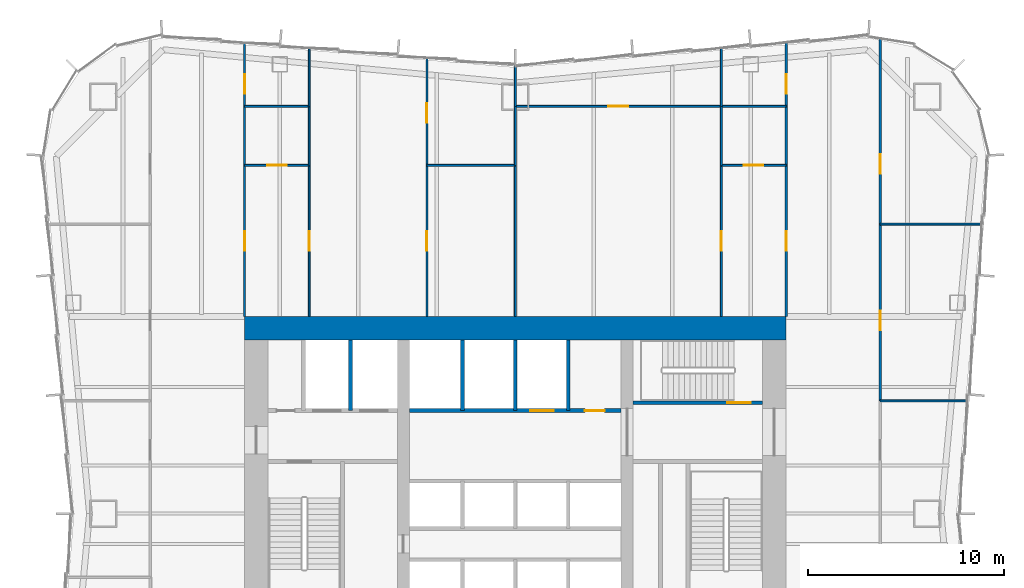
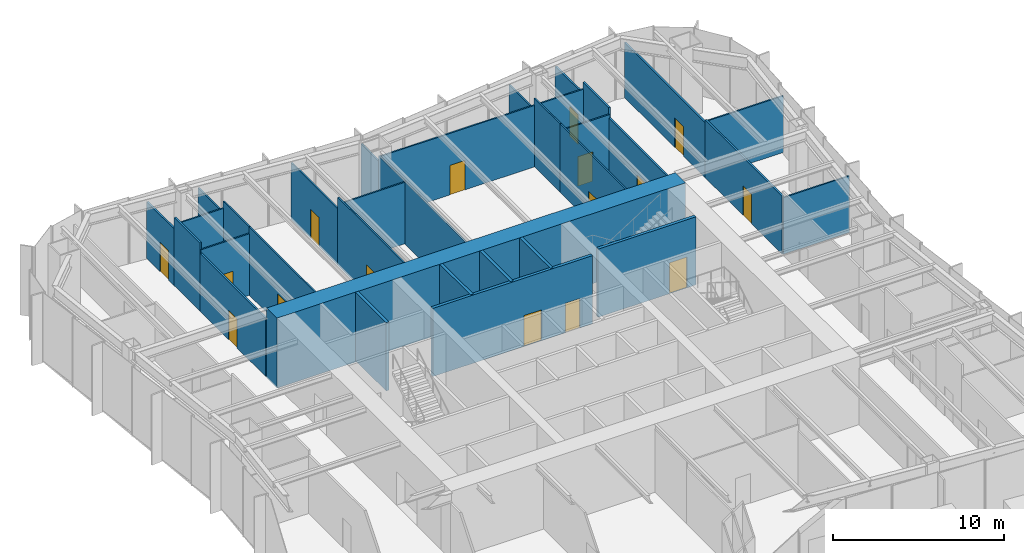
# One storey, part 11 of 15: 34 walls, 16 doors, 16 openings.
"""IFC4 building model written with IfcOpenShell, lengths in metres."""

from ifc_helpers import new_model, si_unit, direction, frame, frame_2d, origin, place, context, subcontext, project, spatial, rectangle, extrude, material, layer, layer_set, type_object, element, fill, save


model = new_model("IFC4")

# Units and contexts
model_context = context("Model", 3, precision=1e-05, world=origin(), true_north=direction((0.0, 1.0)))
body_context = subcontext(model_context, "Body", "Model", "MODEL_VIEW")
ifc_project = project(units=[si_unit("LENGTHUNIT", "METRE"), si_unit("AREAUNIT", "SQUARE_METRE"), si_unit("VOLUMEUNIT", "CUBIC_METRE"), si_unit("PLANEANGLEUNIT", "RADIAN"), si_unit("MASSUNIT", "GRAM", prefix="KILO")], contexts=[model_context])

# Site, building, storey
site_placement = place(None, origin())
site = spatial("IfcSite", under=ifc_project, at=site_placement, CompositionType="ELEMENT")
building_placement = place(site_placement, origin())
building = spatial("IfcBuilding", under=site, at=building_placement, Name="Verdant Reach Tower", CompositionType="ELEMENT")
storey_placement = place(building_placement, frame((0.0, 0.0, 65.0)))
storey = spatial("IfcBuildingStorey", under=building, at=storey_placement, Name="L14", CompositionType="ELEMENT", Elevation=65.0)

# Wall, openings, doors
ifc_material_1 = material(Name="Concrete C40/50", Category="concrete")
ifc_layer_1 = layer(ifc_material_1, 0.199951171875)
ifc_layer_set_1 = layer_set([ifc_layer_1], Name="CO-WALL-SHAFT")
wall_type_1 = type_object("IfcWallType", Name="CO-WALL-SHAFT", PredefinedType="PARTITIONING", material=ifc_layer_set_1)
wall_1_placement = place(storey_placement, frame((-5.39990234375, 34.0, 0.0), z_axis=(0.0, 0.0, 1.0), x_axis=(1.0, 0.0, 0.0)))
wall_1 = element("IfcWall", 1, at=wall_1_placement, inside=storey, type_object=wall_type_1, Name="Lift shaft wall, L14", PredefinedType="PARTITIONING", context=body_context, shape_type="SweptSolid", body=[
    extrude(rectangle(XDim=10.7998046875, YDim=0.199951171875, at=frame_2d((5.39990234375, 0.0))), origin(), (0.0, 0.0, 1.0), 4.8701171875),
])
opening_1_placement = place(wall_1_placement, frame((6.14990234375, 0.0, 0.0)))
opening_1 = element("IfcOpeningElement", 2, at=opening_1_placement, cuts=wall_1, Name="Opening LD-SL1", PredefinedType="OPENING", context=body_context, shape_type="SweptSolid", body=[
    extrude(rectangle(XDim=1.199951171875, YDim=2.199951171875, at=frame_2d((0.60009765625, 1.10009765625))), frame((0.0, 0.10986328125, 0.0), z_axis=(0.0, -1.0, 0.0), x_axis=(1.0, 0.0, 0.0)), (0.0, 0.0, 1.0), 0.219970703125),
])
opening_2_placement = place(wall_1_placement, frame((8.949951171875, 0.0, 0.0)))
opening_2 = element("IfcOpeningElement", 3, at=opening_2_placement, cuts=wall_1, Name="Opening CD", PredefinedType="OPENING", context=body_context, shape_type="SweptSolid", body=[
    extrude(rectangle(XDim=1.0, YDim=2.10009765625, at=frame_2d((0.5, 1.050048828125))), frame((0.0, 0.10986328125, 0.0), z_axis=(0.0, -1.0, 0.0), x_axis=(1.0, 0.0, 0.0)), (0.0, 0.0, 1.0), 0.219970703125),
])
ifc_material_2 = material(Name="Stainless steel", Category="steel")
door_type_1 = type_object("IfcDoorType", Name="CO-DOOR-LANDING", OperationType="SLIDING_TO_LEFT", PredefinedType="DOOR", material=ifc_material_2)
door_1_placement = place(opening_1_placement, origin())
door_1 = element("IfcDoor", 4, at=door_1_placement, inside=storey, type_object=door_type_1, Name="Landing door SL1, L14", OperationType="SLIDING_TO_LEFT", OverallHeight=2.199951171875, OverallWidth=1.199951171875, PredefinedType="DOOR", context=body_context, shape_type="SweptSolid", body=[
    extrude(rectangle(XDim=1.199951171875, YDim=2.199951171875, at=frame_2d((0.60009765625, 1.10009765625))), frame((0.0, 0.02490234375, 0.0), z_axis=(0.0, -1.0, 0.0), x_axis=(1.0, 0.0, 0.0)), (0.0, 0.0, 1.0), 0.050048828125),
])
fill(opening_1, door_1)
ifc_material_3 = material(Name="Timber", Category="wood")
door_type_2 = type_object("IfcDoorType", Name="CO-DOOR-ROOM", OperationType="NOTDEFINED", PredefinedType="DOOR", material=ifc_material_3)
door_2_placement = place(opening_2_placement, origin())
door_2 = element("IfcDoor", 5, at=door_2_placement, inside=storey, type_object=door_type_2, Name="Core room door, L14", OperationType="SINGLE_SWING_LEFT", OverallHeight=2.10009765625, OverallWidth=1.0, PredefinedType="DOOR", context=body_context, shape_type="SweptSolid", body=[
    extrude(rectangle(XDim=1.0, YDim=2.10009765625, at=frame_2d((0.5, 1.050048828125))), frame((0.0, 0.02490234375, 0.0), z_axis=(0.0, -1.0, 0.0), x_axis=(1.0, 0.0, 0.0)), (0.0, 0.0, 1.0), 0.050048828125),
])
fill(opening_2, door_2)

# Walls
for number, where, z_axis, x_axis, name in (
    (6, (-8.39990234375, 34.0, 0.0), (0.0, 0.0, 1.0), (0.0, 1.0, 0.0), "Lift shaft wall, L14"),
    (7, (-2.699951171875, 34.0, 0.0), (0.0, 0.0, 1.0), (0.0, 1.0, 0.0), "Lift shaft wall, L14"),
    (8, (0.0, 34.0, 0.0), (0.0, 0.0, 1.0), (0.0, 1.0, 0.0), "Lift shaft wall, L14"),
    (9, (2.699951171875, 34.0, 0.0), (0.0, 0.0, 1.0), (0.0, 1.0, 0.0), "Lift shaft wall, L14"),
):
    element("IfcWall", number, at=place(storey_placement, frame(where, z_axis=z_axis, x_axis=x_axis)), inside=storey, type_object=wall_type_1, Name=name, PredefinedType="PARTITIONING", context=body_context, shape_type="SweptSolid", body=[
        extrude(rectangle(XDim=3.60009765625, YDim=0.199951171875, at=frame_2d((1.800048828125, 0.0))), origin(), (0.0, 0.0, 1.0), 4.8701171875),
    ])

# Wall, opening, door
ifc_layer_2 = layer(ifc_material_1, 0.199951171875)
ifc_layer_set_2 = layer_set([ifc_layer_2], Name="CO-WALL-STAIR")
wall_type_2 = type_object("IfcWallType", Name="CO-WALL-STAIR", PredefinedType="PARTITIONING", material=ifc_layer_set_2)
wall_2_placement = place(storey_placement, frame((6.0, 34.39990234375, 0.0), z_axis=(0.0, 0.0, 1.0), x_axis=(1.0, 0.0, 0.0)))
wall_2 = element("IfcWall", 10, at=wall_2_placement, inside=storey, type_object=wall_type_2, Name="Stair enclosure wall, L14", PredefinedType="PARTITIONING", context=body_context, shape_type="SweptSolid", body=[
    extrude(rectangle(XDim=6.60009765625, YDim=0.199951171875, at=frame_2d((3.300048828125, 0.0))), origin(), (0.0, 0.0, 1.0), 4.8701171875),
])
opening_3_placement = place(wall_2_placement, frame((4.800048828125, 0.0, 0.0)))
opening_3 = element("IfcOpeningElement", 11, at=opening_3_placement, cuts=wall_2, Name="Opening SD", PredefinedType="OPENING", context=body_context, shape_type="SweptSolid", body=[
    extrude(rectangle(XDim=1.199951171875, YDim=2.199951171875, at=frame_2d((0.60009765625, 1.10009765625))), frame((0.0, 0.10986328125, 0.0), z_axis=(0.0, -1.0, 0.0), x_axis=(1.0, 0.0, 0.0)), (0.0, 0.0, 1.0), 0.219970703125),
])
ifc_material_4 = material(Name="Steel", Category="steel")
door_type_3 = type_object("IfcDoorType", Name="CO-DOOR-STAIR", OperationType="NOTDEFINED", PredefinedType="DOOR", material=ifc_material_4)
door_3_placement = place(opening_3_placement, origin())
door_3 = element("IfcDoor", 12, at=door_3_placement, inside=storey, type_object=door_type_3, Name="Stair door, L14", OperationType="SINGLE_SWING_LEFT", OverallHeight=2.199951171875, OverallWidth=1.199951171875, PredefinedType="DOOR", context=body_context, shape_type="SweptSolid", body=[
    extrude(rectangle(XDim=1.199951171875, YDim=2.199951171875, at=frame_2d((0.60009765625, 1.10009765625))), frame((0.0, 0.02490234375, 0.0), z_axis=(0.0, -1.0, 0.0), x_axis=(1.0, 0.0, 0.0)), (0.0, 0.0, 1.0), 0.050048828125),
])
fill(opening_3, door_3)

# Walls
ifc_material_5 = material(Name="Gypsum board on steel studs", Category="steel")
ifc_layer_3 = layer(ifc_material_5, 0.10009765625)
ifc_layer_set_3 = layer_set([ifc_layer_3], Name="FL-W1 Partition 100")
wall_type_3 = type_object("IfcWallType", Name="FL-W1 Partition 100", PredefinedType="PARTITIONING", material=ifc_layer_set_3)
wall_3_placement = place(storey_placement, frame((23.052490234375, 34.5, 0.0), z_axis=(0.0, 0.0, 1.0), x_axis=(-1.0, 0.0, 0.0)))
element("IfcWall", 13, at=wall_3_placement, inside=storey, type_object=wall_type_3, Name="Partition 14.33", PredefinedType="PARTITIONING", context=body_context, shape_type="SweptSolid", body=[
    extrude(rectangle(XDim=4.452392578125, YDim=0.10009765625, at=frame_2d((2.22607421875, 0.0))), origin(), (0.0, 0.0, 1.0), 4.0400390625),
])
wall_4_placement = place(storey_placement, frame((23.792236328125, 43.5, 0.0), z_axis=(0.0, 0.0, 1.0), x_axis=(-1.0, 0.0, 0.0)))
element("IfcWall", 14, at=wall_4_placement, inside=storey, type_object=wall_type_3, Name="Partition 14.34", PredefinedType="PARTITIONING", context=body_context, shape_type="SweptSolid", body=[
    extrude(rectangle(XDim=5.192138671875, YDim=0.10009765625, at=frame_2d((2.59619140625, 0.0))), origin(), (0.0, 0.0, 1.0), 4.0400390625),
])

# Wall, opening, door
wall_5_placement = place(storey_placement, frame((-13.800048828125, 46.5, 0.0), z_axis=(0.0, 0.0, 1.0), x_axis=(1.0, 0.0, 0.0)))
wall_5 = element("IfcWall", 15, at=wall_5_placement, inside=storey, type_object=wall_type_3, Name="Partition 14.41", PredefinedType="PARTITIONING", context=body_context, shape_type="SweptSolid", body=[
    extrude(rectangle(XDim=3.300048828125, YDim=0.10009765625, at=frame_2d((1.64990234375, 0.0))), origin(), (0.0, 0.0, 1.0), 4.389892578125),
])
opening_4_placement = place(wall_5_placement, frame((1.14990234375, 0.0, 0.0)))
opening_4 = element("IfcOpeningElement", 16, at=opening_4_placement, cuts=wall_5, Name="Opening D3", PredefinedType="OPENING", context=body_context, shape_type="SweptSolid", body=[
    extrude(rectangle(XDim=1.0, YDim=2.10009765625, at=frame_2d((0.5, 1.050048828125))), frame((0.0, 0.06005859375, 0.0), z_axis=(0.0, -1.0, 0.0), x_axis=(1.0, 0.0, 0.0)), (0.0, 0.0, 1.0), 0.1201171875),
])
ifc_material_6 = material(Name="Painted timber door leaf", Category="wood")
door_type_4 = type_object("IfcDoorType", Name="FL-D3 Door 1000x2100", OperationType="NOTDEFINED", PredefinedType="DOOR", material=ifc_material_6)
door_4_placement = place(opening_4_placement, origin())
door_4 = element("IfcDoor", 17, at=door_4_placement, inside=storey, type_object=door_type_4, Name="Door 14-024", OperationType="SINGLE_SWING_RIGHT", OverallHeight=2.10009765625, OverallWidth=1.0, PredefinedType="DOOR", context=body_context, shape_type="SweptSolid", body=[
    extrude(rectangle(XDim=1.0, YDim=2.10009765625, at=frame_2d((0.5, 1.050048828125))), frame((0.0, 0.02490234375, 0.0), z_axis=(0.0, -1.0, 0.0), x_axis=(1.0, 0.0, 0.0)), (0.0, 0.0, 1.0), 0.050048828125),
])
fill(opening_4, door_4)

wall_6_placement = place(storey_placement, frame((-10.5, 46.50390625, 0.0), z_axis=(0.0, 0.0, 1.0), x_axis=(0.0, -1.0, 0.0)))
wall_6 = element("IfcWall", 18, at=wall_6_placement, inside=storey, type_object=wall_type_3, Name="Partition 14.42", PredefinedType="PARTITIONING", context=body_context, shape_type="SweptSolid", body=[
    extrude(rectangle(XDim=7.703857421875, YDim=0.10009765625, at=frame_2d((3.85205078125, 0.0))), origin(), (0.0, 0.0, 1.0), 4.8701171875),
])
opening_5_placement = place(wall_6_placement, frame((3.35205078125, 0.0, 0.0)))
opening_5 = element("IfcOpeningElement", 19, at=opening_5_placement, cuts=wall_6, Name="Opening D3", PredefinedType="OPENING", context=body_context, shape_type="SweptSolid", body=[
    extrude(rectangle(XDim=1.0, YDim=2.10009765625, at=frame_2d((0.5, 1.050048828125))), frame((0.0, 0.06005859375, 0.0), z_axis=(0.0, -1.0, 0.0), x_axis=(1.0, 0.0, 0.0)), (0.0, 0.0, 1.0), 0.1201171875),
])
door_5_placement = place(opening_5_placement, origin())
door_5 = element("IfcDoor", 20, at=door_5_placement, inside=storey, type_object=door_type_4, Name="Door 14-025", OperationType="SINGLE_SWING_LEFT", OverallHeight=2.10009765625, OverallWidth=1.0, PredefinedType="DOOR", context=body_context, shape_type="SweptSolid", body=[
    extrude(rectangle(XDim=1.0, YDim=2.10009765625, at=frame_2d((0.5, 1.050048828125))), frame((0.0, 0.02490234375, 0.0), z_axis=(0.0, -1.0, 0.0), x_axis=(1.0, 0.0, 0.0)), (0.0, 0.0, 1.0), 0.050048828125),
])
fill(opening_5, door_5)

# Walls
wall_7_placement = place(storey_placement, frame((-10.5, 49.5, 0.0), z_axis=(0.0, 0.0, 1.0), x_axis=(-1.0, 0.0, 0.0)))
element("IfcWall", 21, at=wall_7_placement, inside=storey, type_object=wall_type_3, Name="Partition 14.43", PredefinedType="PARTITIONING", context=body_context, shape_type="SweptSolid", body=[
    extrude(rectangle(XDim=3.300048828125, YDim=0.10009765625, at=frame_2d((1.64990234375, 0.0))), origin(), (0.0, 0.0, 1.0), 4.389892578125),
])
wall_8_placement = place(storey_placement, frame((-10.5, 46.49609375, 0.0), z_axis=(0.0, 0.0, 1.0), x_axis=(0.0, 1.0, 0.0)))
element("IfcWall", 22, at=wall_8_placement, inside=storey, type_object=wall_type_3, Name="Partition 14.44", PredefinedType="PARTITIONING", context=body_context, shape_type="SweptSolid", body=[
    extrude(rectangle(XDim=3.0078125, YDim=0.10009765625, at=frame_2d((1.50390625, 0.0))), origin(), (0.0, 0.0, 1.0), 4.8701171875),
])
wall_9_placement = place(storey_placement, frame((-10.5, 49.49609375, 0.0), z_axis=(0.0, 0.0, 1.0), x_axis=(0.0, 1.0, 0.0)))
element("IfcWall", 23, at=wall_9_placement, inside=storey, type_object=wall_type_3, Name="Partition 14.45", PredefinedType="PARTITIONING", context=body_context, shape_type="SweptSolid", body=[
    extrude(rectangle(XDim=2.958984375, YDim=0.10009765625, at=frame_2d((1.4794921875, 0.0))), origin(), (0.0, 0.0, 1.0), 4.0400390625),
])

# Wall, opening, door
wall_10_placement = place(storey_placement, frame((-4.5, 46.5, 0.0), z_axis=(0.0, 0.0, 1.0), x_axis=(0.0, -1.0, 0.0)))
wall_10 = element("IfcWall", 24, at=wall_10_placement, inside=storey, type_object=wall_type_3, Name="Partition 14.46", PredefinedType="PARTITIONING", context=body_context, shape_type="SweptSolid", body=[
    extrude(rectangle(XDim=7.699951171875, YDim=0.10009765625, at=frame_2d((3.85009765625, 0.0))), origin(), (0.0, 0.0, 1.0), 4.8701171875),
])
opening_6_placement = place(wall_10_placement, frame((3.35009765625, 0.0, 0.0)))
opening_6 = element("IfcOpeningElement", 25, at=opening_6_placement, cuts=wall_10, Name="Opening D3", PredefinedType="OPENING", context=body_context, shape_type="SweptSolid", body=[
    extrude(rectangle(XDim=1.0, YDim=2.10009765625, at=frame_2d((0.5, 1.050048828125))), frame((0.0, 0.06005859375, 0.0), z_axis=(0.0, -1.0, 0.0), x_axis=(1.0, 0.0, 0.0)), (0.0, 0.0, 1.0), 0.1201171875),
])
door_6_placement = place(opening_6_placement, origin())
door_6 = element("IfcDoor", 26, at=door_6_placement, inside=storey, type_object=door_type_4, Name="Door 14-026", OperationType="SINGLE_SWING_RIGHT", OverallHeight=2.10009765625, OverallWidth=1.0, PredefinedType="DOOR", context=body_context, shape_type="SweptSolid", body=[
    extrude(rectangle(XDim=1.0, YDim=2.10009765625, at=frame_2d((0.5, 1.050048828125))), frame((0.0, 0.02490234375, 0.0), z_axis=(0.0, -1.0, 0.0), x_axis=(1.0, 0.0, 0.0)), (0.0, 0.0, 1.0), 0.050048828125),
])
fill(opening_6, door_6)

wall_11_placement = place(storey_placement, frame((-4.5, 51.955078125, 0.0), z_axis=(0.0, 0.0, 1.0), x_axis=(0.0, -1.0, 0.0)))
wall_11 = element("IfcWall", 27, at=wall_11_placement, inside=storey, type_object=wall_type_3, Name="Partition 14.47", PredefinedType="PARTITIONING", context=body_context, shape_type="SweptSolid", body=[
    extrude(rectangle(XDim=5.455078125, YDim=0.10009765625, at=frame_2d((2.7275390625, 0.0))), origin(), (0.0, 0.0, 1.0), 4.0400390625),
])
opening_7_placement = place(wall_11_placement, frame((2.29248046875, 0.0, 0.0)))
opening_7 = element("IfcOpeningElement", 28, at=opening_7_placement, cuts=wall_11, Name="Opening D3", PredefinedType="OPENING", context=body_context, shape_type="SweptSolid", body=[
    extrude(rectangle(XDim=1.0, YDim=2.10009765625, at=frame_2d((0.5, 1.050048828125))), frame((0.0, 0.06005859375, 0.0), z_axis=(0.0, -1.0, 0.0), x_axis=(1.0, 0.0, 0.0)), (0.0, 0.0, 1.0), 0.1201171875),
])
door_7_placement = place(opening_7_placement, origin())
door_7 = element("IfcDoor", 29, at=door_7_placement, inside=storey, type_object=door_type_4, Name="Door 14-027", OperationType="SINGLE_SWING_RIGHT", OverallHeight=2.10009765625, OverallWidth=1.0, PredefinedType="DOOR", context=body_context, shape_type="SweptSolid", body=[
    extrude(rectangle(XDim=1.0, YDim=2.10009765625, at=frame_2d((0.5, 1.050048828125))), frame((0.0, 0.02490234375, 0.0), z_axis=(0.0, -1.0, 0.0), x_axis=(1.0, 0.0, 0.0)), (0.0, 0.0, 1.0), 0.050048828125),
])
fill(opening_7, door_7)

# Walls
wall_12_placement = place(storey_placement, frame((0.0, 46.5, 0.0), z_axis=(0.0, 0.0, 1.0), x_axis=(-1.0, 0.0, 0.0)))
element("IfcWall", 30, at=wall_12_placement, inside=storey, type_object=wall_type_3, Name="Partition 14.48", PredefinedType="PARTITIONING", context=body_context, shape_type="SweptSolid", body=[
    extrude(rectangle(XDim=4.5, YDim=0.10009765625, at=frame_2d((2.25, 0.0))), origin(), (0.0, 0.0, 1.0), 4.389892578125),
])
wall_13_placement = place(storey_placement, frame((0.0, 38.800048828125, 0.0), z_axis=(0.0, 0.0, 1.0), x_axis=(0.0, 1.0, 0.0)))
element("IfcWall", 31, at=wall_13_placement, inside=storey, type_object=wall_type_3, Name="Partition 14.49", PredefinedType="PARTITIONING", context=body_context, shape_type="SweptSolid", body=[
    extrude(rectangle(XDim=7.703857421875, YDim=0.10009765625, at=frame_2d((3.85205078125, 0.0))), origin(), (0.0, 0.0, 1.0), 4.43994140625),
])
wall_14_placement = place(storey_placement, frame((0.0, 46.49609375, 0.0), z_axis=(0.0, 0.0, 1.0), x_axis=(0.0, 1.0, 0.0)))
element("IfcWall", 32, at=wall_14_placement, inside=storey, type_object=wall_type_3, Name="Partition 14.50", PredefinedType="PARTITIONING", context=body_context, shape_type="SweptSolid", body=[
    extrude(rectangle(XDim=3.00390625, YDim=0.10009765625, at=frame_2d((1.501953125, 0.0))), origin(), (0.0, 0.0, 1.0), 4.43994140625),
])
wall_15_placement = place(storey_placement, frame((0.0, 49.5, 0.0), z_axis=(0.0, 0.0, 1.0), x_axis=(0.0, 1.0, 0.0)))
element("IfcWall", 33, at=wall_15_placement, inside=storey, type_object=wall_type_3, Name="Partition 14.51", PredefinedType="PARTITIONING", context=body_context, shape_type="SweptSolid", body=[
    extrude(rectangle(XDim=2.080078125, YDim=0.10009765625, at=frame_2d((1.0400390625, 0.0))), origin(), (0.0, 0.0, 1.0), 4.0400390625),
])

# Wall, opening, door
wall_16_placement = place(storey_placement, frame((10.5, 46.5, 0.0), z_axis=(0.0, 0.0, 1.0), x_axis=(1.0, 0.0, 0.0)))
wall_16 = element("IfcWall", 34, at=wall_16_placement, inside=storey, type_object=wall_type_3, Name="Partition 14.52", PredefinedType="PARTITIONING", context=body_context, shape_type="SweptSolid", body=[
    extrude(rectangle(XDim=3.300048828125, YDim=0.10009765625, at=frame_2d((1.64990234375, 0.0))), origin(), (0.0, 0.0, 1.0), 4.389892578125),
])
opening_8_placement = place(wall_16_placement, frame((1.14990234375, 0.0, 0.0)))
opening_8 = element("IfcOpeningElement", 35, at=opening_8_placement, cuts=wall_16, Name="Opening D3", PredefinedType="OPENING", context=body_context, shape_type="SweptSolid", body=[
    extrude(rectangle(XDim=1.0, YDim=2.10009765625, at=frame_2d((0.5, 1.050048828125))), frame((0.0, 0.06005859375, 0.0), z_axis=(0.0, -1.0, 0.0), x_axis=(1.0, 0.0, 0.0)), (0.0, 0.0, 1.0), 0.1201171875),
])
door_8_placement = place(opening_8_placement, origin())
door_8 = element("IfcDoor", 36, at=door_8_placement, inside=storey, type_object=door_type_4, Name="Door 14-028", OperationType="SINGLE_SWING_RIGHT", OverallHeight=2.10009765625, OverallWidth=1.0, PredefinedType="DOOR", context=body_context, shape_type="SweptSolid", body=[
    extrude(rectangle(XDim=1.0, YDim=2.10009765625, at=frame_2d((0.5, 1.050048828125))), frame((0.0, 0.02490234375, 0.0), z_axis=(0.0, -1.0, 0.0), x_axis=(1.0, 0.0, 0.0)), (0.0, 0.0, 1.0), 0.050048828125),
])
fill(opening_8, door_8)

wall_17_placement = place(storey_placement, frame((10.5, 38.800048828125, 0.0), z_axis=(0.0, 0.0, 1.0), x_axis=(0.0, 1.0, 0.0)))
wall_17 = element("IfcWall", 37, at=wall_17_placement, inside=storey, type_object=wall_type_3, Name="Partition 14.53", PredefinedType="PARTITIONING", context=body_context, shape_type="SweptSolid", body=[
    extrude(rectangle(XDim=7.703857421875, YDim=0.10009765625, at=frame_2d((3.85205078125, 0.0))), origin(), (0.0, 0.0, 1.0), 4.8701171875),
])
opening_9_placement = place(wall_17_placement, frame((3.35205078125, 0.0, 0.0)))
opening_9 = element("IfcOpeningElement", 38, at=opening_9_placement, cuts=wall_17, Name="Opening D3", PredefinedType="OPENING", context=body_context, shape_type="SweptSolid", body=[
    extrude(rectangle(XDim=1.0, YDim=2.10009765625, at=frame_2d((0.5, 1.050048828125))), frame((0.0, 0.06005859375, 0.0), z_axis=(0.0, -1.0, 0.0), x_axis=(1.0, 0.0, 0.0)), (0.0, 0.0, 1.0), 0.1201171875),
])
door_9_placement = place(opening_9_placement, origin())
door_9 = element("IfcDoor", 39, at=door_9_placement, inside=storey, type_object=door_type_4, Name="Door 14-029", OperationType="SINGLE_SWING_LEFT", OverallHeight=2.10009765625, OverallWidth=1.0, PredefinedType="DOOR", context=body_context, shape_type="SweptSolid", body=[
    extrude(rectangle(XDim=1.0, YDim=2.10009765625, at=frame_2d((0.5, 1.050048828125))), frame((0.0, 0.02490234375, 0.0), z_axis=(0.0, -1.0, 0.0), x_axis=(1.0, 0.0, 0.0)), (0.0, 0.0, 1.0), 0.050048828125),
])
fill(opening_9, door_9)

# Walls
wall_18_placement = place(storey_placement, frame((13.800048828125, 49.5, 0.0), z_axis=(0.0, 0.0, 1.0), x_axis=(-1.0, 0.0, 0.0)))
element("IfcWall", 40, at=wall_18_placement, inside=storey, type_object=wall_type_3, Name="Partition 14.54", PredefinedType="PARTITIONING", context=body_context, shape_type="SweptSolid", body=[
    extrude(rectangle(XDim=3.300048828125, YDim=0.10009765625, at=frame_2d((1.64990234375, 0.0))), origin(), (0.0, 0.0, 1.0), 4.389892578125),
])
wall_19_placement = place(storey_placement, frame((10.5, 49.5, 0.0), z_axis=(0.0, 0.0, 1.0), x_axis=(0.0, -1.0, 0.0)))
element("IfcWall", 41, at=wall_19_placement, inside=storey, type_object=wall_type_3, Name="Partition 14.55", PredefinedType="PARTITIONING", context=body_context, shape_type="SweptSolid", body=[
    extrude(rectangle(XDim=3.00390625, YDim=0.10009765625, at=frame_2d((1.501953125, 0.0))), origin(), (0.0, 0.0, 1.0), 4.8701171875),
])
wall_20_placement = place(storey_placement, frame((10.5, 52.455078125, 0.0), z_axis=(0.0, 0.0, 1.0), x_axis=(0.0, -1.0, 0.0)))
element("IfcWall", 42, at=wall_20_placement, inside=storey, type_object=wall_type_3, Name="Partition 14.56", PredefinedType="PARTITIONING", context=body_context, shape_type="SweptSolid", body=[
    extrude(rectangle(XDim=2.955078125, YDim=0.10009765625, at=frame_2d((1.4775390625, 0.0))), origin(), (0.0, 0.0, 1.0), 4.0400390625),
])

# Wall, opening, door
wall_21_placement = place(storey_placement, frame((0.0, 49.5, 0.0), z_axis=(0.0, 0.0, 1.0), x_axis=(1.0, 0.0, 0.0)))
wall_21 = element("IfcWall", 43, at=wall_21_placement, inside=storey, type_object=wall_type_3, Name="Partition 14.57", PredefinedType="PARTITIONING", context=body_context, shape_type="SweptSolid", body=[
    extrude(rectangle(XDim=10.5, YDim=0.10009765625, at=frame_2d((5.25, 0.0))), origin(), (0.0, 0.0, 1.0), 4.389892578125),
])
opening_10_placement = place(wall_21_placement, frame((4.75, 0.0, 0.0)))
opening_10 = element("IfcOpeningElement", 44, at=opening_10_placement, cuts=wall_21, Name="Opening D3", PredefinedType="OPENING", context=body_context, shape_type="SweptSolid", body=[
    extrude(rectangle(XDim=1.0, YDim=2.10009765625, at=frame_2d((0.5, 1.050048828125))), frame((0.0, 0.06005859375, 0.0), z_axis=(0.0, -1.0, 0.0), x_axis=(1.0, 0.0, 0.0)), (0.0, 0.0, 1.0), 0.1201171875),
])
door_10_placement = place(opening_10_placement, origin())
door_10 = element("IfcDoor", 45, at=door_10_placement, inside=storey, type_object=door_type_4, Name="Door 14-030", OperationType="SINGLE_SWING_RIGHT", OverallHeight=2.10009765625, OverallWidth=1.0, PredefinedType="DOOR", context=body_context, shape_type="SweptSolid", body=[
    extrude(rectangle(XDim=1.0, YDim=2.10009765625, at=frame_2d((0.5, 1.050048828125))), frame((0.0, 0.02490234375, 0.0), z_axis=(0.0, -1.0, 0.0), x_axis=(1.0, 0.0, 0.0)), (0.0, 0.0, 1.0), 0.050048828125),
])
fill(opening_10, door_10)

ifc_material_7 = material(Name="Gypsum board on steel studs, fire rated", Category="steel")
ifc_layer_4 = layer(ifc_material_7, 0.125)
ifc_layer_set_4 = layer_set([ifc_layer_4], Name="FL-W2 Corridor wall 125")
wall_type_4 = type_object("IfcWallType", Name="FL-W2 Corridor wall 125", PredefinedType="PARTITIONING", material=ifc_layer_set_4)
wall_22_placement = place(storey_placement, frame((-13.800048828125, 46.5, 0.0), z_axis=(0.0, 0.0, 1.0), x_axis=(0.0, -1.0, 0.0)))
wall_22 = element("IfcWall", 46, at=wall_22_placement, inside=storey, type_object=wall_type_4, Name="Partition 14.08", PredefinedType="PARTITIONING", context=body_context, shape_type="SweptSolid", body=[
    extrude(rectangle(XDim=7.699951171875, YDim=0.125, at=frame_2d((3.85009765625, 0.0))), origin(), (0.0, 0.0, 1.0), 4.139892578125),
])
opening_11_placement = place(wall_22_placement, frame((3.35009765625, 0.0, 0.0)))
opening_11 = element("IfcOpeningElement", 47, at=opening_11_placement, cuts=wall_22, Name="Opening D2", PredefinedType="OPENING", context=body_context, shape_type="SweptSolid", body=[
    extrude(rectangle(XDim=1.0, YDim=2.10009765625, at=frame_2d((0.5, 1.050048828125))), frame((0.0, 0.072509765625, 0.0), z_axis=(0.0, -1.0, 0.0), x_axis=(1.0, 0.0, 0.0)), (0.0, 0.0, 1.0), 0.14501953125),
])
ifc_material_8 = material(Name="Timber door leaf, fire rated", Category="wood")
door_type_5 = type_object("IfcDoorType", Name="FL-D2 Entrance door 1000x2100 FD30", OperationType="NOTDEFINED", PredefinedType="DOOR", material=ifc_material_8)
door_11_placement = place(opening_11_placement, origin())
door_11 = element("IfcDoor", 48, at=door_11_placement, inside=storey, type_object=door_type_5, Name="Door 14-008", OperationType="SINGLE_SWING_RIGHT", OverallHeight=2.10009765625, OverallWidth=1.0, PredefinedType="DOOR", context=body_context, shape_type="SweptSolid", body=[
    extrude(rectangle(XDim=1.0, YDim=2.10009765625, at=frame_2d((0.5, 1.050048828125))), frame((0.0, 0.02490234375, 0.0), z_axis=(0.0, -1.0, 0.0), x_axis=(1.0, 0.0, 0.0)), (0.0, 0.0, 1.0), 0.050048828125),
])
fill(opening_11, door_11)

# Wall
wall_23_placement = place(storey_placement, frame((-13.800048828125, 46.5, 0.0), z_axis=(0.0, 0.0, 1.0), x_axis=(0.0, 1.0, 0.0)))
element("IfcWall", 49, at=wall_23_placement, inside=storey, type_object=wall_type_4, Name="Partition 14.09", PredefinedType="PARTITIONING", context=body_context, shape_type="SweptSolid", body=[
    extrude(rectangle(XDim=3.0, YDim=0.125, at=frame_2d((1.5, 0.0))), origin(), (0.0, 0.0, 1.0), 4.8701171875),
])

# Wall, opening, door
wall_24_placement = place(storey_placement, frame((-13.800048828125, 52.72998046875, 0.0), z_axis=(0.0, 0.0, 1.0), x_axis=(0.0, -1.0, 0.0)))
wall_24 = element("IfcWall", 50, at=wall_24_placement, inside=storey, type_object=wall_type_4, Name="Partition 14.10", PredefinedType="PARTITIONING", context=body_context, shape_type="SweptSolid", body=[
    extrude(rectangle(XDim=3.22998046875, YDim=0.125, at=frame_2d((1.614990234375, 0.0))), origin(), (0.0, 0.0, 1.0), 4.0400390625),
])
opening_12_placement = place(wall_24_placement, frame((1.580078125, 0.0, 0.0)))
opening_12 = element("IfcOpeningElement", 51, at=opening_12_placement, cuts=wall_24, Name="Opening D2", PredefinedType="OPENING", context=body_context, shape_type="SweptSolid", body=[
    extrude(rectangle(XDim=1.0, YDim=2.10009765625, at=frame_2d((0.5, 1.050048828125))), frame((0.0, 0.072509765625, 0.0), z_axis=(0.0, -1.0, 0.0), x_axis=(1.0, 0.0, 0.0)), (0.0, 0.0, 1.0), 0.14501953125),
])
door_12_placement = place(opening_12_placement, origin())
door_12 = element("IfcDoor", 52, at=door_12_placement, inside=storey, type_object=door_type_5, Name="Door 14-009", OperationType="SINGLE_SWING_RIGHT", OverallHeight=2.10009765625, OverallWidth=1.0, PredefinedType="DOOR", context=body_context, shape_type="SweptSolid", body=[
    extrude(rectangle(XDim=1.0, YDim=2.10009765625, at=frame_2d((0.5, 1.050048828125))), frame((0.0, 0.02490234375, 0.0), z_axis=(0.0, -1.0, 0.0), x_axis=(1.0, 0.0, 0.0)), (0.0, 0.0, 1.0), 0.050048828125),
])
fill(opening_12, door_12)

wall_25_placement = place(storey_placement, frame((18.60009765625, 43.5, 0.0), z_axis=(0.0, 0.0, 1.0), x_axis=(0.0, -1.0, 0.0)))
wall_25 = element("IfcWall", 53, at=wall_25_placement, inside=storey, type_object=wall_type_4, Name="Partition 14.17", PredefinedType="PARTITIONING", context=body_context, shape_type="SweptSolid", body=[
    extrude(rectangle(XDim=9.0, YDim=0.125, at=frame_2d((4.5, 0.0))), origin(), (0.0, 0.0, 1.0), 4.139892578125),
])
opening_13_placement = place(wall_25_placement, frame((4.39990234375, 0.0, 0.0)))
opening_13 = element("IfcOpeningElement", 54, at=opening_13_placement, cuts=wall_25, Name="Opening D2", PredefinedType="OPENING", context=body_context, shape_type="SweptSolid", body=[
    extrude(rectangle(XDim=1.0, YDim=2.10009765625, at=frame_2d((0.5, 1.050048828125))), frame((0.0, 0.072509765625, 0.0), z_axis=(0.0, -1.0, 0.0), x_axis=(1.0, 0.0, 0.0)), (0.0, 0.0, 1.0), 0.14501953125),
])
door_13_placement = place(opening_13_placement, origin())
door_13 = element("IfcDoor", 55, at=door_13_placement, inside=storey, type_object=door_type_5, Name="Door 14-016", OperationType="SINGLE_SWING_RIGHT", OverallHeight=2.10009765625, OverallWidth=1.0, PredefinedType="DOOR", context=body_context, shape_type="SweptSolid", body=[
    extrude(rectangle(XDim=1.0, YDim=2.10009765625, at=frame_2d((0.5, 1.050048828125))), frame((0.0, 0.02490234375, 0.0), z_axis=(0.0, -1.0, 0.0), x_axis=(1.0, 0.0, 0.0)), (0.0, 0.0, 1.0), 0.050048828125),
])
fill(opening_13, door_13)

wall_26_placement = place(storey_placement, frame((18.60009765625, 52.960693359375, 0.0), z_axis=(0.0, 0.0, 1.0), x_axis=(0.0, -1.0, 0.0)))
wall_26 = element("IfcWall", 56, at=wall_26_placement, inside=storey, type_object=wall_type_4, Name="Partition 14.18", PredefinedType="PARTITIONING", context=body_context, shape_type="SweptSolid", body=[
    extrude(rectangle(XDim=9.460693359375, YDim=0.125, at=frame_2d((4.73046875, 0.0))), origin(), (0.0, 0.0, 1.0), 3.929931640625),
])
opening_14_placement = place(wall_26_placement, frame((5.895751953125, 0.0, 0.0)))
opening_14 = element("IfcOpeningElement", 57, at=opening_14_placement, cuts=wall_26, Name="Opening D2", PredefinedType="OPENING", context=body_context, shape_type="SweptSolid", body=[
    extrude(rectangle(XDim=1.0, YDim=2.10009765625, at=frame_2d((0.5, 1.050048828125))), frame((0.0, 0.072509765625, 0.0), z_axis=(0.0, -1.0, 0.0), x_axis=(1.0, 0.0, 0.0)), (0.0, 0.0, 1.0), 0.14501953125),
])
door_14_placement = place(opening_14_placement, origin())
door_14 = element("IfcDoor", 58, at=door_14_placement, inside=storey, type_object=door_type_5, Name="Door 14-017", OperationType="SINGLE_SWING_RIGHT", OverallHeight=2.10009765625, OverallWidth=1.0, PredefinedType="DOOR", context=body_context, shape_type="SweptSolid", body=[
    extrude(rectangle(XDim=1.0, YDim=2.10009765625, at=frame_2d((0.5, 1.050048828125))), frame((0.0, 0.02490234375, 0.0), z_axis=(0.0, -1.0, 0.0), x_axis=(1.0, 0.0, 0.0)), (0.0, 0.0, 1.0), 0.050048828125),
])
fill(opening_14, door_14)

wall_27_placement = place(storey_placement, frame((13.800048828125, 38.800048828125, 0.0), z_axis=(0.0, 0.0, 1.0), x_axis=(0.0, 1.0, 0.0)))
wall_27 = element("IfcWall", 59, at=wall_27_placement, inside=storey, type_object=wall_type_4, Name="Partition 14.20", PredefinedType="PARTITIONING", context=body_context, shape_type="SweptSolid", body=[
    extrude(rectangle(XDim=7.699951171875, YDim=0.125, at=frame_2d((3.85009765625, 0.0))), origin(), (0.0, 0.0, 1.0), 4.139892578125),
])
opening_15_placement = place(wall_27_placement, frame((3.35009765625, 0.0, 0.0)))
opening_15 = element("IfcOpeningElement", 60, at=opening_15_placement, cuts=wall_27, Name="Opening D2", PredefinedType="OPENING", context=body_context, shape_type="SweptSolid", body=[
    extrude(rectangle(XDim=1.0, YDim=2.10009765625, at=frame_2d((0.5, 1.050048828125))), frame((0.0, 0.072509765625, 0.0), z_axis=(0.0, -1.0, 0.0), x_axis=(1.0, 0.0, 0.0)), (0.0, 0.0, 1.0), 0.14501953125),
])
door_15_placement = place(opening_15_placement, origin())
door_15 = element("IfcDoor", 61, at=door_15_placement, inside=storey, type_object=door_type_5, Name="Door 14-019", OperationType="SINGLE_SWING_LEFT", OverallHeight=2.10009765625, OverallWidth=1.0, PredefinedType="DOOR", context=body_context, shape_type="SweptSolid", body=[
    extrude(rectangle(XDim=1.0, YDim=2.10009765625, at=frame_2d((0.5, 1.050048828125))), frame((0.0, 0.02490234375, 0.0), z_axis=(0.0, -1.0, 0.0), x_axis=(1.0, 0.0, 0.0)), (0.0, 0.0, 1.0), 0.050048828125),
])
fill(opening_15, door_15)

# Wall
wall_28_placement = place(storey_placement, frame((13.800048828125, 49.5, 0.0), z_axis=(0.0, 0.0, 1.0), x_axis=(0.0, -1.0, 0.0)))
element("IfcWall", 62, at=wall_28_placement, inside=storey, type_object=wall_type_4, Name="Partition 14.21", PredefinedType="PARTITIONING", context=body_context, shape_type="SweptSolid", body=[
    extrude(rectangle(XDim=3.0, YDim=0.125, at=frame_2d((1.5, 0.0))), origin(), (0.0, 0.0, 1.0), 4.8701171875),
])

# Wall, opening, door
wall_29_placement = place(storey_placement, frame((13.800048828125, 49.5, 0.0), z_axis=(0.0, 0.0, 1.0), x_axis=(0.0, 1.0, 0.0)))
wall_29 = element("IfcWall", 63, at=wall_29_placement, inside=storey, type_object=wall_type_4, Name="Partition 14.22", PredefinedType="PARTITIONING", context=body_context, shape_type="SweptSolid", body=[
    extrude(rectangle(XDim=3.22998046875, YDim=0.125, at=frame_2d((1.614990234375, 0.0))), origin(), (0.0, 0.0, 1.0), 4.0400390625),
])
opening_16_placement = place(wall_29_placement, frame((0.64990234375, 0.0, 0.0)))
opening_16 = element("IfcOpeningElement", 64, at=opening_16_placement, cuts=wall_29, Name="Opening D2", PredefinedType="OPENING", context=body_context, shape_type="SweptSolid", body=[
    extrude(rectangle(XDim=1.0, YDim=2.10009765625, at=frame_2d((0.5, 1.050048828125))), frame((0.0, 0.072509765625, 0.0), z_axis=(0.0, -1.0, 0.0), x_axis=(1.0, 0.0, 0.0)), (0.0, 0.0, 1.0), 0.14501953125),
])
door_16_placement = place(opening_16_placement, origin())
door_16 = element("IfcDoor", 65, at=door_16_placement, inside=storey, type_object=door_type_5, Name="Door 14-020", OperationType="SINGLE_SWING_LEFT", OverallHeight=2.10009765625, OverallWidth=1.0, PredefinedType="DOOR", context=body_context, shape_type="SweptSolid", body=[
    extrude(rectangle(XDim=1.0, YDim=2.10009765625, at=frame_2d((0.5, 1.050048828125))), frame((0.0, 0.02490234375, 0.0), z_axis=(0.0, -1.0, 0.0), x_axis=(1.0, 0.0, 0.0)), (0.0, 0.0, 1.0), 0.050048828125),
])
fill(opening_16, door_16)

# Wall
ifc_material_9 = material(Name="Concrete C70/85", Category="concrete")
ifc_layer_5 = layer(ifc_material_9, 1.199951171875)
ifc_layer_set_5 = layer_set([ifc_layer_5], Name="ST-CORE-WALL-1200")
wall_type_5 = type_object("IfcWallType", Name="ST-CORE-WALL-1200", PredefinedType="SHEAR", material=ifc_layer_set_5)
wall_30_placement = place(storey_placement, frame((-13.800048828125, 38.199951171875, -0.1298828125), z_axis=(0.0, 0.0, 1.0), x_axis=(1.0, 0.0, 0.0)))
element("IfcWall", 66, at=wall_30_placement, inside=storey, type_object=wall_type_5, Name="Core wall N, L14", PredefinedType="SHEAR", context=body_context, shape_type="SweptSolid", body=[
    extrude(rectangle(XDim=27.60009765625, YDim=1.199951171875, at=frame_2d((13.800048828125, 0.0))), origin(), (0.0, 0.0, 1.0), 5.0),
])

save(model, "model.ifc")
